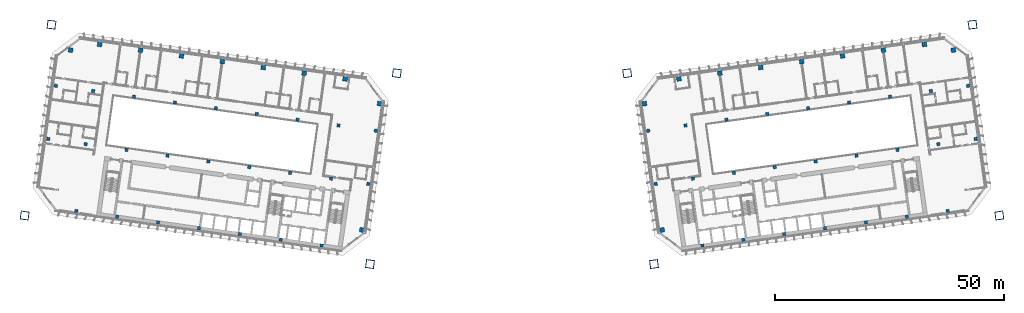
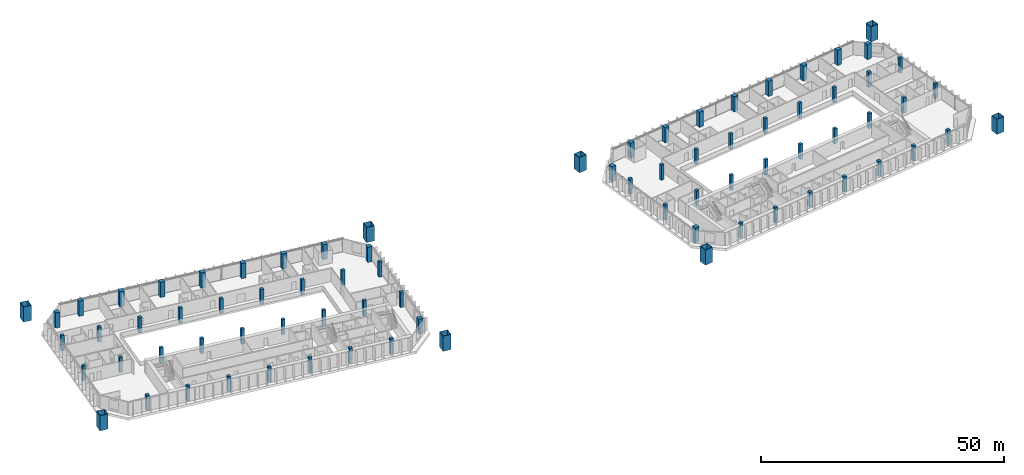
# One storey, part 1 of 24: 78 columns.
"""IFC4 building model written with IfcOpenShell, lengths in metres."""

from ifc_helpers import new_model, si_unit, direction, frame, origin, origin_2d, place, context, subcontext, project, spatial, rectangle, hollow_rectangle, extrude, material, material_profile, profile_set, type_object, element, save


model = new_model("IFC4")

# Units and contexts
model_context = context("Model", 3, precision=1e-05, world=origin(), true_north=direction((0.0, 1.0)))
body_context = subcontext(model_context, "Body", "Model", "MODEL_VIEW")
ifc_project = project(units=[si_unit("LENGTHUNIT", "METRE"), si_unit("AREAUNIT", "SQUARE_METRE"), si_unit("VOLUMEUNIT", "CUBIC_METRE"), si_unit("PLANEANGLEUNIT", "RADIAN"), si_unit("MASSUNIT", "GRAM", prefix="KILO")], contexts=[model_context])

# Site, building, storey
site_placement = place(None, origin())
site = spatial("IfcSite", under=ifc_project, at=site_placement, CompositionType="ELEMENT")
building_placement = place(site_placement, origin())
building = spatial("IfcBuilding", under=site, at=building_placement, Name="Mirante Cascada Hotel Towers", CompositionType="ELEMENT")
storey_placement = place(building_placement, frame((0.0, 0.0, 81.3)))
storey = spatial("IfcBuildingStorey", under=building, at=storey_placement, Name="L17", CompositionType="ELEMENT", Elevation=81.3)

# Columns
ifc_material_1 = material(Name="Steel ASTM A572 Gr 50", Category="steel")
ifc_material_profile_1 = material_profile(ifc_material_1, hollow_rectangle(XDim=1.8, YDim=1.8, WallThickness=0.08, at=origin_2d()), Name="Box column 1800x1800x80 ASTM A572 Gr 50")
ifc_profile_set_1 = profile_set([ifc_material_profile_1], Name="Steel ASTM A572 Gr 50")
column_type_1 = type_object("IfcColumnType", Name="Box column 1800x1800x80 ASTM A572 Gr 50", PredefinedType="COLUMN", material=ifc_profile_set_1)
for number, where, z_axis, x_axis, name in (
    (1, (-25.0968, 18.5173, 0.0), (0.0, 0.0, 1.0), (-0.9902681, 0.1391731, 0.0), "Mega column MC1 T1 L17"),
    (2, (-30.9421, -23.074, 0.0), (0.0, 0.0, 1.0), (-0.9902681, 0.1391731, 0.0), "Mega column MC2 T1 L17"),
    (3, (-100.3572, 29.0944, 0.0), (0.0, 0.0, 1.0), (-0.9902681, 0.1391731, 0.0), "Mega column MC3 T1 L17"),
    (4, (-106.2025, -12.4968, 0.0), (0.0, 0.0, 1.0), (-0.9902681, 0.1391731, 0.0), "Mega column MC4 T1 L17"),
    (5, (25.0968, 18.5173, 0.0), (0.0, 0.0, 1.0), (0.9902681, 0.1391731, 0.0), "Mega column MC1 T2 L17"),
    (6, (30.9421, -23.074, 0.0), (0.0, 0.0, 1.0), (0.9902681, 0.1391731, 0.0), "Mega column MC2 T2 L17"),
    (7, (100.3572, 29.0944, 0.0), (0.0, 0.0, 1.0), (0.9902681, 0.1391731, 0.0), "Mega column MC3 T2 L17"),
    (8, (106.2025, -12.4968, 0.0), (0.0, 0.0, 1.0), (0.9902681, 0.1391731, 0.0), "Mega column MC4 T2 L17"),
):
    element("IfcColumn", number, at=place(storey_placement, frame(where, z_axis=z_axis, x_axis=x_axis)), inside=storey, type_object=column_type_1, Name=name, PredefinedType="COLUMN", context=body_context, shape_type="SweptSolid", body=[
        extrude(hollow_rectangle(XDim=1.8, YDim=1.8, WallThickness=0.08, at=origin_2d()), origin(), (0.0, 0.0, 1.0), 3.8),
    ])
ifc_material_2 = material(Name="Concrete C60/75", Category="concrete")
ifc_material_profile_2 = material_profile(ifc_material_2, rectangle(XDim=1.0, YDim=1.0, at=origin_2d()), Name="RC column 1000x1000 C60/75")
ifc_profile_set_2 = profile_set([ifc_material_profile_2], Name="Concrete C60/75")
column_type_2 = type_object("IfcColumnType", Name="RC column 1000x1000 C60/75", PredefinedType="COLUMN", material=ifc_profile_set_2)
for number, where, z_axis, x_axis, name in (
    (9, (-28.8577, 11.8761, 0.0), (0.0, 0.0, 1.0), (-0.9902681, 0.1391731, 0.0), "Column T1 L17 1"),
    (10, (-32.7267, -15.6534, 0.0), (0.0, 0.0, 1.0), (-0.9902681, 0.1391731, 0.0), "Column T1 L17 4"),
    (11, (-36.3795, 17.2754, 0.0), (0.0, 0.0, 1.0), (-0.9902681, 0.1391731, 0.0), "Column T1 L17 5"),
    (12, (-45.2919, 18.528, 0.0), (0.0, 0.0, 1.0), (-0.9902681, 0.1391731, 0.0), "Column T1 L17 9"),
    (13, (-54.2043, 19.7806, 0.0), (0.0, 0.0, 1.0), (-0.9902681, 0.1391731, 0.0), "Column T1 L17 13"),
    (14, (-63.1167, 21.0331, 0.0), (0.0, 0.0, 1.0), (-0.9902681, 0.1391731, 0.0), "Column T1 L17 17"),
    (15, (-72.0291, 22.2857, 0.0), (0.0, 0.0, 1.0), (-0.9902681, 0.1391731, 0.0), "Column T1 L17 21"),
    (16, (-80.9415, 23.5382, 0.0), (0.0, 0.0, 1.0), (-0.9902681, 0.1391731, 0.0), "Column T1 L17 25"),
    (17, (-89.8539, 24.7908, 0.0), (0.0, 0.0, 1.0), (-0.9902681, 0.1391731, 0.0), "Column T1 L17 29"),
    (18, (-96.1868, 23.5602, 0.0), (0.0, 0.0, 1.0), (-0.9902681, 0.1391731, 0.0), "Column T1 L17 33"),
    (19, (28.8577, 11.8761, 0.0), (0.0, 0.0, 1.0), (0.9902681, 0.1391731, 0.0), "Column T2 L17 1"),
    (20, (32.7267, -15.6534, 0.0), (0.0, 0.0, 1.0), (0.9902681, 0.1391731, 0.0), "Column T2 L17 4"),
    (21, (36.3795, 17.2754, 0.0), (0.0, 0.0, 1.0), (0.9902681, 0.1391731, 0.0), "Column T2 L17 5"),
    (22, (45.2919, 18.528, 0.0), (0.0, 0.0, 1.0), (0.9902681, 0.1391731, 0.0), "Column T2 L17 9"),
    (23, (54.2043, 19.7806, 0.0), (0.0, 0.0, 1.0), (0.9902681, 0.1391731, 0.0), "Column T2 L17 13"),
    (24, (63.1167, 21.0331, 0.0), (0.0, 0.0, 1.0), (0.9902681, 0.1391731, 0.0), "Column T2 L17 17"),
    (25, (72.0291, 22.2857, 0.0), (0.0, 0.0, 1.0), (0.9902681, 0.1391731, 0.0), "Column T2 L17 21"),
    (26, (80.9415, 23.5382, 0.0), (0.0, 0.0, 1.0), (0.9902681, 0.1391731, 0.0), "Column T2 L17 25"),
    (27, (89.8539, 24.7908, 0.0), (0.0, 0.0, 1.0), (0.9902681, 0.1391731, 0.0), "Column T2 L17 29"),
    (28, (96.1868, 23.5602, 0.0), (0.0, 0.0, 1.0), (0.9902681, 0.1391731, 0.0), "Column T2 L17 33"),
):
    element("IfcColumn", number, at=place(storey_placement, frame(where, z_axis=z_axis, x_axis=x_axis)), inside=storey, type_object=column_type_2, Name=name, PredefinedType="COLUMN", context=body_context, shape_type="SweptSolid", body=[
        extrude(rectangle(XDim=1.0, YDim=1.0, at=origin_2d()), origin(), (0.0, 0.0, 1.0), 3.8),
    ])
ifc_material_3 = material(Name="Concrete C60/75", Category="concrete")
ifc_material_profile_3 = material_profile(ifc_material_3, rectangle(XDim=0.7, YDim=0.7, at=origin_2d()), Name="RC column 700x700 C60/75")
ifc_profile_set_3 = profile_set([ifc_material_profile_3], Name="Concrete C60/75")
column_type_3 = type_object("IfcColumnType", Name="RC column 700x700 C60/75", PredefinedType="COLUMN", material=ifc_profile_set_3)
for number, where, z_axis, x_axis, name in (
    (29, (-29.6858, 5.984, 0.0), (0.0, 0.0, 1.0), (-0.9902681, 0.1391731, 0.0), "Column T1 L17 2"),
    (30, (-31.3141, -5.6022, 0.0), (0.0, 0.0, 1.0), (-0.9902681, 0.1391731, 0.0), "Column T1 L17 3"),
    (31, (-37.806, 7.1252, 0.0), (0.0, 0.0, 1.0), (-0.9902681, 0.1391731, 0.0), "Column T1 L17 6"),
    (32, (-39.4343, -4.4609, 0.0), (0.0, 0.0, 1.0), (-0.9902681, 0.1391731, 0.0), "Column T1 L17 7"),
    (33, (-41.4802, -19.0179, 0.0), (0.0, 0.0, 1.0), (-0.9902681, 0.1391731, 0.0), "Column T1 L17 8"),
    (34, (-46.7184, 8.3777, 0.0), (0.0, 0.0, 1.0), (-0.9902681, 0.1391731, 0.0), "Column T1 L17 10"),
    (35, (-48.3467, -3.2084, 0.0), (0.0, 0.0, 1.0), (-0.9902681, 0.1391731, 0.0), "Column T1 L17 11"),
    (36, (-50.3926, -17.7653, 0.0), (0.0, 0.0, 1.0), (-0.9902681, 0.1391731, 0.0), "Column T1 L17 12"),
    (37, (-55.6308, 9.6303, 0.0), (0.0, 0.0, 1.0), (-0.9902681, 0.1391731, 0.0), "Column T1 L17 14"),
    (38, (-57.2591, -1.9558, 0.0), (0.0, 0.0, 1.0), (-0.9902681, 0.1391731, 0.0), "Column T1 L17 15"),
    (39, (-59.305, -16.5128, 0.0), (0.0, 0.0, 1.0), (-0.9902681, 0.1391731, 0.0), "Column T1 L17 16"),
    (40, (-64.5432, 10.8829, 0.0), (0.0, 0.0, 1.0), (-0.9902681, 0.1391731, 0.0), "Column T1 L17 18"),
    (41, (-66.1716, -0.7033, 0.0), (0.0, 0.0, 1.0), (-0.9902681, 0.1391731, 0.0), "Column T1 L17 19"),
    (42, (-68.2174, -15.2602, 0.0), (0.0, 0.0, 1.0), (-0.9902681, 0.1391731, 0.0), "Column T1 L17 20"),
    (43, (-73.4556, 12.1354, 0.0), (0.0, 0.0, 1.0), (-0.9902681, 0.1391731, 0.0), "Column T1 L17 22"),
    (44, (-75.084, 0.5493, 0.0), (0.0, 0.0, 1.0), (-0.9902681, 0.1391731, 0.0), "Column T1 L17 23"),
    (45, (-77.1298, -14.0077, 0.0), (0.0, 0.0, 1.0), (-0.9902681, 0.1391731, 0.0), "Column T1 L17 24"),
    (46, (-82.368, 13.388, 0.0), (0.0, 0.0, 1.0), (-0.9902681, 0.1391731, 0.0), "Column T1 L17 26"),
    (47, (-83.9964, 1.8018, 0.0), (0.0, 0.0, 1.0), (-0.9902681, 0.1391731, 0.0), "Column T1 L17 27"),
    (48, (-86.0422, -12.7551, 0.0), (0.0, 0.0, 1.0), (-0.9902681, 0.1391731, 0.0), "Column T1 L17 28"),
    (49, (-91.2805, 14.6405, 0.0), (0.0, 0.0, 1.0), (-0.9902681, 0.1391731, 0.0), "Column T1 L17 30"),
    (50, (-92.9088, 3.0544, 0.0), (0.0, 0.0, 1.0), (-0.9902681, 0.1391731, 0.0), "Column T1 L17 31"),
    (51, (-94.9546, -11.5025, 0.0), (0.0, 0.0, 1.0), (-0.9902681, 0.1391731, 0.0), "Column T1 L17 32"),
    (52, (-99.4007, 15.7818, 0.0), (0.0, 0.0, 1.0), (-0.9902681, 0.1391731, 0.0), "Column T1 L17 34"),
    (53, (-101.029, 4.1956, 0.0), (0.0, 0.0, 1.0), (-0.9902681, 0.1391731, 0.0), "Column T1 L17 35"),
    (54, (29.6858, 5.984, 0.0), (0.0, 0.0, 1.0), (0.9902681, 0.1391731, 0.0), "Column T2 L17 2"),
    (55, (31.3141, -5.6022, 0.0), (0.0, 0.0, 1.0), (0.9902681, 0.1391731, 0.0), "Column T2 L17 3"),
    (56, (37.806, 7.1252, 0.0), (0.0, 0.0, 1.0), (0.9902681, 0.1391731, 0.0), "Column T2 L17 6"),
    (57, (39.4343, -4.4609, 0.0), (0.0, 0.0, 1.0), (0.9902681, 0.1391731, 0.0), "Column T2 L17 7"),
    (58, (41.4802, -19.0179, 0.0), (0.0, 0.0, 1.0), (0.9902681, 0.1391731, 0.0), "Column T2 L17 8"),
    (59, (46.7184, 8.3777, 0.0), (0.0, 0.0, 1.0), (0.9902681, 0.1391731, 0.0), "Column T2 L17 10"),
    (60, (48.3467, -3.2084, 0.0), (0.0, 0.0, 1.0), (0.9902681, 0.1391731, 0.0), "Column T2 L17 11"),
    (61, (50.3926, -17.7653, 0.0), (0.0, 0.0, 1.0), (0.9902681, 0.1391731, 0.0), "Column T2 L17 12"),
    (62, (55.6308, 9.6303, 0.0), (0.0, 0.0, 1.0), (0.9902681, 0.1391731, 0.0), "Column T2 L17 14"),
    (63, (57.2591, -1.9558, 0.0), (0.0, 0.0, 1.0), (0.9902681, 0.1391731, 0.0), "Column T2 L17 15"),
    (64, (59.305, -16.5128, 0.0), (0.0, 0.0, 1.0), (0.9902681, 0.1391731, 0.0), "Column T2 L17 16"),
    (65, (64.5432, 10.8829, 0.0), (0.0, 0.0, 1.0), (0.9902681, 0.1391731, 0.0), "Column T2 L17 18"),
    (66, (66.1716, -0.7033, 0.0), (0.0, 0.0, 1.0), (0.9902681, 0.1391731, 0.0), "Column T2 L17 19"),
    (67, (68.2174, -15.2602, 0.0), (0.0, 0.0, 1.0), (0.9902681, 0.1391731, 0.0), "Column T2 L17 20"),
    (68, (73.4556, 12.1354, 0.0), (0.0, 0.0, 1.0), (0.9902681, 0.1391731, 0.0), "Column T2 L17 22"),
    (69, (75.084, 0.5493, 0.0), (0.0, 0.0, 1.0), (0.9902681, 0.1391731, 0.0), "Column T2 L17 23"),
    (70, (77.1298, -14.0077, 0.0), (0.0, 0.0, 1.0), (0.9902681, 0.1391731, 0.0), "Column T2 L17 24"),
    (71, (82.368, 13.388, 0.0), (0.0, 0.0, 1.0), (0.9902681, 0.1391731, 0.0), "Column T2 L17 26"),
    (72, (83.9964, 1.8018, 0.0), (0.0, 0.0, 1.0), (0.9902681, 0.1391731, 0.0), "Column T2 L17 27"),
    (73, (86.0422, -12.7551, 0.0), (0.0, 0.0, 1.0), (0.9902681, 0.1391731, 0.0), "Column T2 L17 28"),
    (74, (91.2805, 14.6405, 0.0), (0.0, 0.0, 1.0), (0.9902681, 0.1391731, 0.0), "Column T2 L17 30"),
    (75, (92.9088, 3.0544, 0.0), (0.0, 0.0, 1.0), (0.9902681, 0.1391731, 0.0), "Column T2 L17 31"),
    (76, (94.9546, -11.5025, 0.0), (0.0, 0.0, 1.0), (0.9902681, 0.1391731, 0.0), "Column T2 L17 32"),
    (77, (99.4007, 15.7818, 0.0), (0.0, 0.0, 1.0), (0.9902681, 0.1391731, 0.0), "Column T2 L17 34"),
    (78, (101.029, 4.1956, 0.0), (0.0, 0.0, 1.0), (0.9902681, 0.1391731, 0.0), "Column T2 L17 35"),
):
    element("IfcColumn", number, at=place(storey_placement, frame(where, z_axis=z_axis, x_axis=x_axis)), inside=storey, type_object=column_type_3, Name=name, PredefinedType="COLUMN", context=body_context, shape_type="SweptSolid", body=[
        extrude(rectangle(XDim=0.7, YDim=0.7, at=origin_2d()), origin(), (0.0, 0.0, 1.0), 3.8),
    ])

save(model, "model.ifc")
